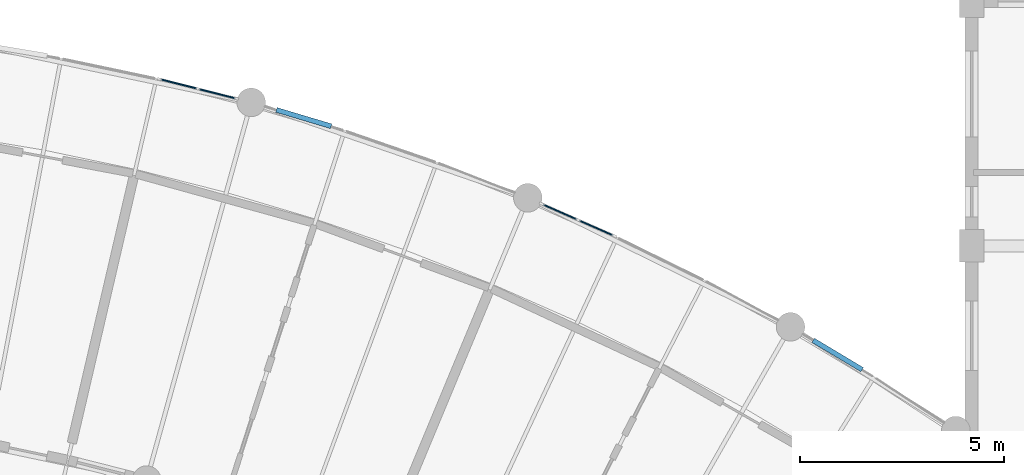
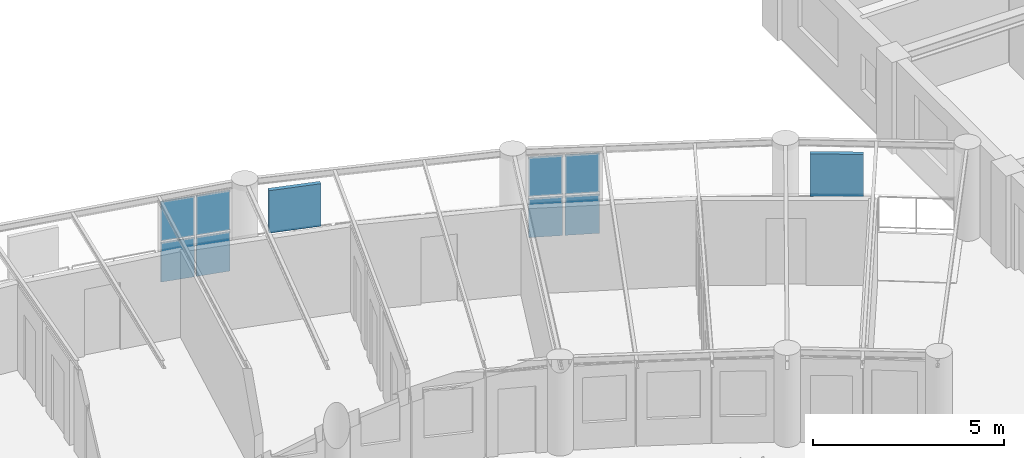
# One storey, part 83 of 137: 10 plates, 2 elements without a shape of their own.
"""IFC4 building model written with IfcOpenShell, lengths in metres."""

from ifc_helpers import new_model, si_unit, direction, frame, origin, origin_2d, place, context, subcontext, project, spatial, rectangle, extrude, material, layer, layer_set, type_object, element, aggregate, save


model = new_model("IFC4")

# Units and contexts
model_context = context("Model", 3, precision=1e-05, world=origin(), true_north=direction((0.0, 1.0)))
body_context = subcontext(model_context, "Body", "Model", "MODEL_VIEW")
ifc_project = project(units=[si_unit("LENGTHUNIT", "METRE"), si_unit("AREAUNIT", "SQUARE_METRE"), si_unit("VOLUMEUNIT", "CUBIC_METRE"), si_unit("PLANEANGLEUNIT", "RADIAN"), si_unit("MASSUNIT", "GRAM", prefix="KILO"), si_unit("POWERUNIT", "WATT"), si_unit("THERMODYNAMICTEMPERATUREUNIT", "KELVIN")], contexts=[model_context])

# Site, building, storey
site_placement = place(None, origin())
site = spatial("IfcSite", under=ifc_project, at=site_placement, CompositionType="ELEMENT")
building_placement = place(site_placement, origin())
building = spatial("IfcBuilding", under=site, at=building_placement, Name="Ruvembo Vaulted Housing Court", CompositionType="ELEMENT")
storey_placement = place(building_placement, frame((0.0, 0.0, 4.5)))
storey = spatial("IfcBuildingStorey", under=building, at=storey_placement, Name="L01", CompositionType="ELEMENT", Elevation=4.5)

# Curtain wall, plates
ifc_material_1 = material(Name="Anodised Aluminium and Solar-Control Glass", Category="aluminium")
ifc_layer_1 = layer(ifc_material_1, 0.139892578125, Name="Anodised Aluminium and Solar-Control Glass")
ifc_layer_set_1 = layer_set([ifc_layer_1], Name="Anodised Aluminium and Solar-Control Glass")
curtain_wall_type = type_object("IfcCurtainWallType", Name="CW-SCOOP-PAN", PredefinedType="NOTDEFINED", material=ifc_layer_set_1)
curtain_wall_1_placement = place(storey_placement, origin())
curtain_wall_1 = element("IfcCurtainWall", 1, at=curtain_wall_1_placement, inside=storey, type_object=curtain_wall_type, Name="L01 Curtain Wall CW-L01-0063", PredefinedType="NOTDEFINED")
ifc_material_2 = material(Name="Solar-Control Laminated Insulating Glass", Category="glass")
ifc_layer_2 = layer(ifc_material_2, 0.035888671875, Name="Solar-Control Laminated Insulating Glass")
ifc_layer_set_2 = layer_set([ifc_layer_2], Name="Solar-Control Laminated Insulating Glass")
plate_type_1 = type_object("IfcPlateType", Name="CW-PANEL-ACOUST", PredefinedType="CURTAIN_PANEL", material=ifc_layer_set_2)
plate_1_placement = place(storey_placement, frame((130.580810546875, 105.967041015625, 0.06005859375), z_axis=(0.0, 0.0, 1.0), x_axis=(0.969147586916, -0.246481144869, 0.0)))
plate_1 = element("IfcPlate", 2, at=plate_1_placement, type_object=plate_type_1, Name="CW10 panel 1.1", PredefinedType="CURTAIN_PANEL", context=body_context, shape_type="SweptSolid", body=[
    extrude(rectangle(XDim=0.912841796875, YDim=0.035888671875, at=origin_2d()), origin(), (0.0, 0.0, 1.0), 1.259033203125),
])
plate_2_placement = place(storey_placement, frame((130.580810546875, 105.967041015625, 1.37890625), z_axis=(0.0, 0.0, 1.0), x_axis=(0.969147586916, -0.246481144869, 0.0)))
plate_2 = element("IfcPlate", 3, at=plate_2_placement, type_object=plate_type_1, Name="CW10 panel 1.2", PredefinedType="CURTAIN_PANEL", context=body_context, shape_type="SweptSolid", body=[
    extrude(rectangle(XDim=0.912841796875, YDim=0.035888671875, at=origin_2d()), origin(), (0.0, 0.0, 1.0), 1.259033203125),
])
plate_3_placement = place(storey_placement, frame((131.518798828125, 105.728271484375, 0.06005859375), z_axis=(0.0, 0.0, 1.0), x_axis=(0.969147586916, -0.246481144869, 0.0)))
plate_3 = element("IfcPlate", 4, at=plate_3_placement, type_object=plate_type_1, Name="CW10 panel 2.1", PredefinedType="CURTAIN_PANEL", context=body_context, shape_type="SweptSolid", body=[
    extrude(rectangle(XDim=0.912841796875, YDim=0.035888671875, at=origin_2d()), origin(), (0.0, 0.0, 1.0), 1.259033203125),
])
plate_4_placement = place(storey_placement, frame((131.518798828125, 105.728271484375, 1.37890625), z_axis=(0.0, 0.0, 1.0), x_axis=(0.969147586916, -0.246481144869, 0.0)))
plate_4 = element("IfcPlate", 5, at=plate_4_placement, type_object=plate_type_1, Name="CW10 panel 2.2", PredefinedType="CURTAIN_PANEL", context=body_context, shape_type="SweptSolid", body=[
    extrude(rectangle(XDim=0.912841796875, YDim=0.035888671875, at=origin_2d()), origin(), (0.0, 0.0, 1.0), 1.259033203125),
])
aggregate(curtain_wall_1, [plate_1, plate_2, plate_3, plate_4])

curtain_wall_2_placement = place(storey_placement, origin())
curtain_wall_2 = element("IfcCurtainWall", 6, at=curtain_wall_2_placement, inside=storey, type_object=curtain_wall_type, Name="L01 Curtain Wall CW-L01-0064", PredefinedType="NOTDEFINED")
ifc_layer_3 = layer(ifc_material_2, 0.031982421875, Name="Solar-Control Laminated Insulating Glass")
ifc_layer_set_3 = layer_set([ifc_layer_3], Name="Solar-Control Laminated Insulating Glass")
plate_type_2 = type_object("IfcPlateType", Name="CW-PANEL-SOLAR", PredefinedType="CURTAIN_PANEL", material=ifc_layer_set_3)
plate_5_placement = place(storey_placement, frame((139.919921875, 102.8310546875, 0.06494140625), z_axis=(0.0, 0.0, 1.0), x_axis=(0.91508304425, -0.403265448713, 0.0)))
plate_5 = element("IfcPlate", 7, at=plate_5_placement, type_object=plate_type_2, Name="CW10 panel 1.1", PredefinedType="CURTAIN_PANEL", context=body_context, shape_type="SweptSolid", body=[
    extrude(rectangle(XDim=0.9052734375, YDim=0.031982421875, at=origin_2d()), origin(), (0.0, 0.0, 1.0), 1.25146484375),
])
plate_6_placement = place(storey_placement, frame((139.919921875, 102.8310546875, 1.381591796875), z_axis=(0.0, 0.0, 1.0), x_axis=(0.91508304425, -0.403265448713, 0.0)))
plate_6 = element("IfcPlate", 8, at=plate_6_placement, type_object=plate_type_2, Name="CW10 panel 1.2", PredefinedType="CURTAIN_PANEL", context=body_context, shape_type="SweptSolid", body=[
    extrude(rectangle(XDim=0.9052734375, YDim=0.031982421875, at=origin_2d()), origin(), (0.0, 0.0, 1.0), 1.25146484375),
])
plate_7_placement = place(storey_placement, frame((140.80322265625, 102.441650390625, 0.06494140625), z_axis=(0.0, 0.0, 1.0), x_axis=(0.91508304425, -0.403265448713, 0.0)))
plate_7 = element("IfcPlate", 9, at=plate_7_placement, type_object=plate_type_2, Name="CW10 panel 2.1", PredefinedType="CURTAIN_PANEL", context=body_context, shape_type="SweptSolid", body=[
    extrude(rectangle(XDim=0.9052734375, YDim=0.031982421875, at=origin_2d()), origin(), (0.0, 0.0, 1.0), 1.25146484375),
])
plate_8_placement = place(storey_placement, frame((140.80322265625, 102.441650390625, 1.381591796875), z_axis=(0.0, 0.0, 1.0), x_axis=(0.91508304425, -0.403265448713, 0.0)))
plate_8 = element("IfcPlate", 10, at=plate_8_placement, type_object=plate_type_2, Name="CW10 panel 2.2", PredefinedType="CURTAIN_PANEL", context=body_context, shape_type="SweptSolid", body=[
    extrude(rectangle(XDim=0.9052734375, YDim=0.031982421875, at=origin_2d()), origin(), (0.0, 0.0, 1.0), 1.25146484375),
])
aggregate(curtain_wall_2, [plate_5, plate_6, plate_7, plate_8])

# Plates
ifc_material_3 = material(Name="Perforated Glazed Ceramic Cobogo Block", Category="ceramic")
ifc_layer_4 = layer(ifc_material_3, 0.1201171875, Name="Perforated Glazed Ceramic Cobogo Block")
ifc_layer_set_4 = layer_set([ifc_layer_4], Name="Perforated Glazed Ceramic Cobogo Block")
plate_type_3 = type_object("IfcPlateType", Name="PL-COBOGO-120", PredefinedType="USERDEFINED", material=ifc_layer_set_4)
for number, where, z_axis, x_axis, name in (
    (11, (133.642578125, 105.130615234375, 1.1201171875), (0.0, 0.0, 1.0), (0.958077900113, -0.286507831158, 0.0), "Scoop SC3 L01 Ceramic Cobogo Screen #77"),
    (12, (146.718505859375, 99.3271484375, 1.1201171875), (0.0, 0.0, 1.0), (0.857894561819, -0.513825768915, 0.0), "Scoop SC3 L01 Ceramic Cobogo Screen #78"),
):
    element("IfcPlate", number, at=place(storey_placement, frame(where, z_axis=z_axis, x_axis=x_axis)), inside=storey, type_object=plate_type_3, Name=name, ObjectType="COBOGO_PANEL", PredefinedType="USERDEFINED", context=body_context, shape_type="SweptSolid", body=[
        extrude(rectangle(XDim=1.39990234375, YDim=0.1201171875, at=origin_2d()), origin(), (0.0, 0.0, 1.0), 1.360107421875),
    ])

save(model, "model.ifc")
